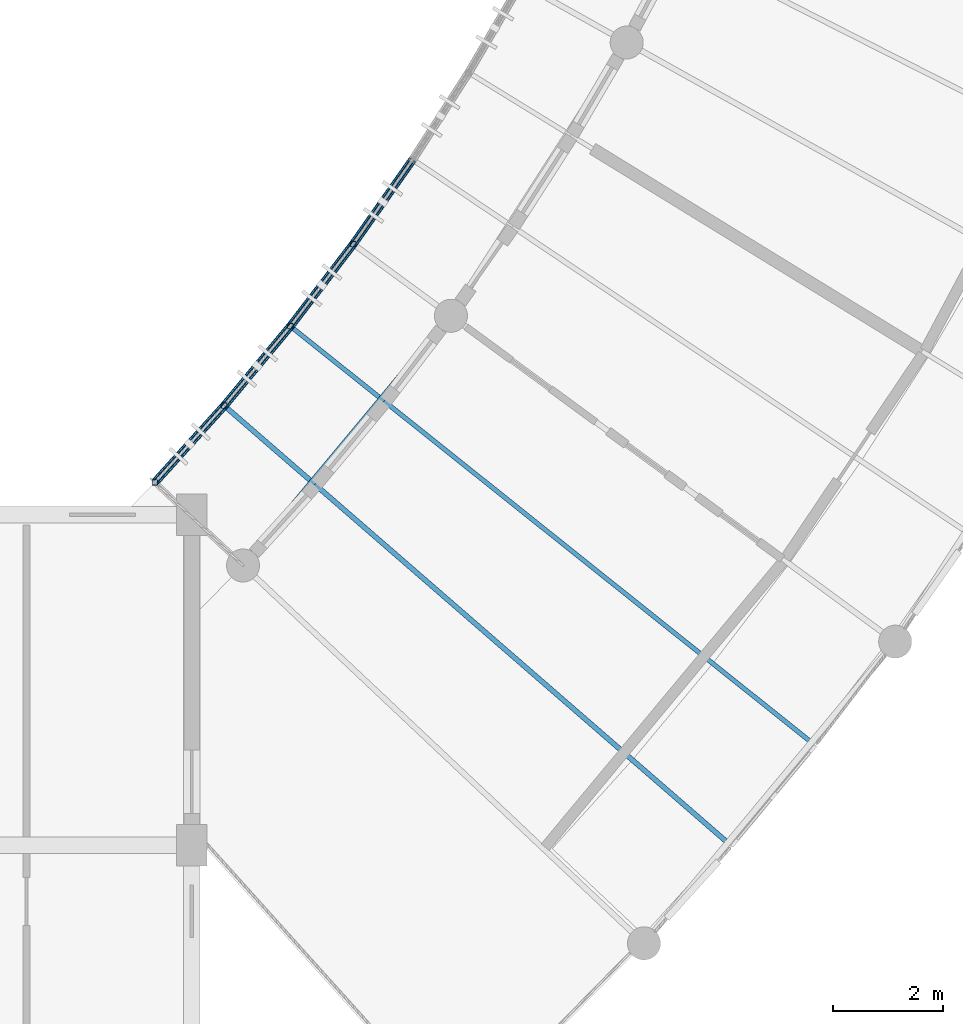
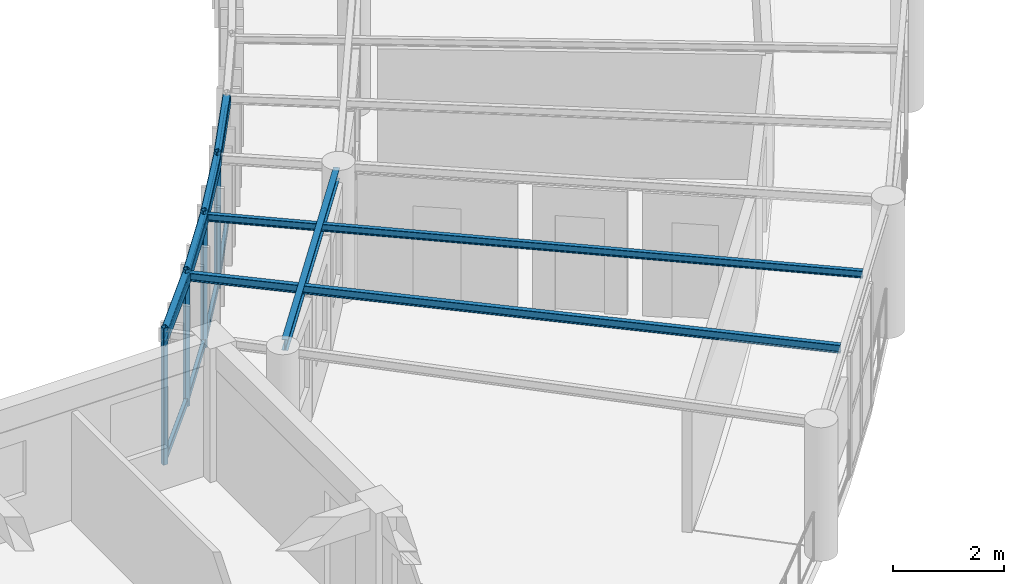
# One storey, part 12 of 100: 12 members, 7 beams.
"""IFC4 building model written with IfcOpenShell, lengths in metres."""

import ifcopenshell
import ifcopenshell.guid

model = None  # the IFC model being written
_history = None  # IfcOwnerHistory: only IFC2X3 demands one
_inside = {}  # id of a spatial element -> (the spatial element, [elements in it])
_under = {}  # id of a project, library or spatial element -> (it, [spatial elements below it])
_declared = {}  # id of a project -> (the project, [libraries it declares])
_typed = {}  # id of a type object -> (the type object, [elements of that type])
_made_of = {}  # id of a material, layer set ... -> (it, [elements and type objects made of it])


def new_model(schema):
    """Start an empty IFC model of exactly this schema.

    Asked for "IFC4X3", IfcOpenShell would pick the latest addendum, in which some entities
    have other attributes; the version numbers below select the first issue.
    IFC2X3 requires an IfcOwnerHistory on every rooted entity: one is made here for all.
    """
    global model, _history
    if schema == "IFC4X3":
        model = ifcopenshell.file(schema_version=(4, 3, 0, 0))
    else:
        model = ifcopenshell.file(schema=schema)
    _inside.clear()
    _under.clear()
    _declared.clear()
    _typed.clear()
    _made_of.clear()
    _history = None
    if model.schema == "IFC2X3":
        org = make("IfcOrganization", Name="unknown")
        user = make(
            "IfcPersonAndOrganization",
            ThePerson=make("IfcPerson", FamilyName="unknown"),
            TheOrganization=org,
        )
        app = make(
            "IfcApplication",
            ApplicationDeveloper=org,
            Version="unknown",
            ApplicationFullName="unknown",
            ApplicationIdentifier="unknown",
        )
        _history = make(
            "IfcOwnerHistory",
            OwningUser=user,
            OwningApplication=app,
            ChangeAction="ADDED",
            CreationDate=0,
        )
    return model


def make(cls, **values):
    """One entity of the class cls with the attributes given. An attribute that is None is left unset."""
    return model.create_entity(
        cls, **{name: value for name, value in values.items() if value is not None}
    )


def rooted(cls, **values):
    """An entity with a GlobalId (a new one), such as an element, a storey or a relation."""
    return make(cls, GlobalId=ifcopenshell.guid.new(), OwnerHistory=_history, **values)


def si_unit(unit_type, name, prefix=None):
    """IfcSIUnit, for example si_unit("LENGTHUNIT", "METRE", prefix="MILLI")."""
    return make("IfcSIUnit", UnitType=unit_type, Prefix=prefix, Name=name)


def assignment(units):
    """IfcUnitAssignment: the units of a project."""
    return None if units is None else make("IfcUnitAssignment", Units=units)


def point(xyz):
    """IfcCartesianPoint."""
    return None if xyz is None else make("IfcCartesianPoint", Coordinates=xyz)


def direction(xyz):
    """IfcDirection."""
    return None if xyz is None else make("IfcDirection", DirectionRatios=xyz)


def frame(location, z_axis=None, x_axis=None):
    """IfcAxis2Placement3D, a coordinate frame: its origin and axes. An axis left out is left unset."""
    return make(
        "IfcAxis2Placement3D",
        Location=point(location),
        Axis=direction(z_axis),
        RefDirection=direction(x_axis),
    )


def frame_2d(location, x_axis=None):
    """IfcAxis2Placement2D, a coordinate frame in the plane: its origin and x axis."""
    return make(
        "IfcAxis2Placement2D", Location=point(location), RefDirection=direction(x_axis)
    )


def origin():
    """The frame at (0, 0, 0) with its axes left unset."""
    return frame((0.0, 0.0, 0.0))


def origin_2d():
    """The frame at (0, 0) in the plane with its x axis left unset."""
    return frame_2d((0.0, 0.0))


def place(relative_to, where):
    """IfcLocalPlacement: puts the frame where relative to a parent placement (None: the world)."""
    return make(
        "IfcLocalPlacement", PlacementRelTo=relative_to, RelativePlacement=where
    )


def context(
    kind, dimensions, precision=None, world=None, true_north=None, identifier=None
):
    """IfcGeometricRepresentationContext, for example the 3D "Model" context."""
    return make(
        "IfcGeometricRepresentationContext",
        ContextIdentifier=identifier,
        ContextType=kind,
        CoordinateSpaceDimension=dimensions,
        Precision=precision,
        WorldCoordinateSystem=world,
        TrueNorth=true_north,
    )


def subcontext(parent, identifier, kind, view, scale=None):
    """IfcGeometricRepresentationSubContext, for example "Body" below "Model"."""
    return make(
        "IfcGeometricRepresentationSubContext",
        ContextIdentifier=identifier,
        ContextType=kind,
        ParentContext=parent,
        TargetScale=scale,
        TargetView=view,
    )


def project(units=None, contexts=None):
    """IfcProject with its units and contexts."""
    return rooted(
        "IfcProject",
        Name="project",
        RepresentationContexts=contexts,
        UnitsInContext=assignment(units),
    )


def spatial(cls, under=None, at=None, **own):
    """A site, building, storey or space (cls), placed at a placement, below another one or the project."""
    s = rooted(cls, ObjectPlacement=at, **own)
    if under is not None:
        _under.setdefault(under.id(), (under, []))[1].append(s)
    return s


def profile(cls, at=None, kind="AREA", **sizes):
    """A parametric profile (cls). Its sizes go by their IFC names, for example OverallWidth=200.0."""
    return make(cls, ProfileType=kind, Position=at, **sizes)


def hollow_rectangle(**sizes):
    """IfcRectangleHollowProfileDef."""
    return profile("IfcRectangleHollowProfileDef", **sizes)


def i_section(**sizes):
    """IfcIShapeProfileDef."""
    return profile("IfcIShapeProfileDef", **sizes)


def extrude(swept, where, along, depth):
    """IfcExtrudedAreaSolid: the profile swept, set in the frame where, extruded along a direction by depth."""
    return make(
        "IfcExtrudedAreaSolid",
        SweptArea=swept,
        Position=where,
        ExtrudedDirection=direction(along),
        Depth=depth,
    )


def shape(context_of_items, identifier, shape_type, items):
    """IfcShapeRepresentation: the items that make up one representation, for example the "Body"."""
    return make(
        "IfcShapeRepresentation",
        ContextOfItems=context_of_items,
        RepresentationIdentifier=identifier,
        RepresentationType=shape_type,
        Items=items,
    )


def material(Name=None, Category=None):
    """IfcMaterial."""
    return make("IfcMaterial", Name=Name, Category=Category)


def material_profile(
    of_material, cross_section, Name=None, Category=None, Priority=None
):
    """IfcMaterialProfile: a cross section and its material."""
    return make(
        "IfcMaterialProfile",
        Name=Name,
        Material=of_material,
        Profile=cross_section,
        Priority=Priority,
        Category=Category,
    )


def profile_set(profiles, Name=None, composite=None):
    """IfcMaterialProfileSet."""
    return make(
        "IfcMaterialProfileSet",
        Name=Name,
        MaterialProfiles=profiles,
        CompositeProfile=composite,
    )


def made_of(thing, what):
    """Note that an element or type object is made of a material, layer set ...; save() writes the relation."""
    if what is not None:
        _made_of.setdefault(what.id(), (what, []))[1].append(thing)
    return thing


def type_object(cls, material=None, **own):
    """A type object (cls), such as IfcWallType, which elements share."""
    return made_of(rooted(cls, **own), material)


def element(
    cls,
    number,
    at=None,
    inside=None,
    cuts=None,
    type_object=None,
    material=None,
    context=None,
    identifier="Body",
    shape_type=None,
    held_by="IfcProductDefinitionShape",
    body=None,
    shapes=None,
    **own,
):
    """One element of the class cls, such as IfcWall. Its Tag is "e" and its number.

    at: its placement. inside: the storey or other place that contains it. cuts: it is an
    opening in that element (IfcRelVoidsElement). A single representation is given by context,
    identifier, shape_type and body (its items); several are given by shapes. held_by: the class
    of the entity that holds the representations. save() writes the other relations.
    """
    e = rooted(cls, Tag="e%d" % number, ObjectPlacement=at, **own)
    if body is not None:
        shapes = [shape(context, identifier, shape_type, body)]
    if shapes is not None:
        e.Representation = make(held_by, Representations=shapes)
    if inside is not None:
        _inside.setdefault(inside.id(), (inside, []))[1].append(e)
    if cuts is not None:
        rooted(
            "IfcRelVoidsElement", RelatingBuildingElement=cuts, RelatedOpeningElement=e
        )
    if type_object is not None:
        _typed.setdefault(type_object.id(), (type_object, []))[1].append(e)
    return made_of(e, material)


def aggregate(whole, parts):
    """IfcRelAggregates: a whole, such as a stair, and the parts it consists of."""
    return rooted("IfcRelAggregates", RelatingObject=whole, RelatedObjects=parts)


def save(model, path):
    """Write the relations noted so far, then the file.

    IfcRelAggregates (storeys below a building ...), IfcRelContainedInSpatialStructure (elements
    in a storey), IfcRelDefinesByType, IfcRelAssociatesMaterial and IfcRelDeclares: one each for
    every whole, place, type object, material and project.
    """
    for whole, parts in _under.values():
        aggregate(whole, parts)
    for where, things in _inside.values():
        rooted(
            "IfcRelContainedInSpatialStructure",
            RelatedElements=things,
            RelatingStructure=where,
        )
    for kind, things in _typed.values():
        rooted("IfcRelDefinesByType", RelatedObjects=things, RelatingType=kind)
    for what, things in _made_of.values():
        rooted("IfcRelAssociatesMaterial", RelatedObjects=things, RelatingMaterial=what)
    for by, libraries in _declared.values():
        rooted("IfcRelDeclares", RelatingContext=by, RelatedDefinitions=libraries)
    model.write(path)


model = new_model("IFC4")

# Units and contexts
model_context = context("Model", 3, precision=1e-05, world=origin(), true_north=direction((0.0, 1.0)))
body_context = subcontext(model_context, "Body", "Model", "MODEL_VIEW")
ifc_project = project(units=[si_unit("LENGTHUNIT", "METRE"), si_unit("AREAUNIT", "SQUARE_METRE"), si_unit("VOLUMEUNIT", "CUBIC_METRE"), si_unit("PLANEANGLEUNIT", "RADIAN"), si_unit("MASSUNIT", "GRAM", prefix="KILO"), si_unit("POWERUNIT", "WATT"), si_unit("THERMODYNAMICTEMPERATUREUNIT", "KELVIN")], contexts=[model_context])

# Site, building, storey
site_placement = place(None, origin())
site = spatial("IfcSite", under=ifc_project, at=site_placement, CompositionType="ELEMENT")
building_placement = place(site_placement, origin())
building = spatial("IfcBuilding", under=site, at=building_placement, Name="Ruvembo Vaulted Housing Court", CompositionType="ELEMENT")
storey_placement = place(building_placement, frame((0.0, 0.0, 14.10009765625)))
storey = spatial("IfcBuildingStorey", under=building, at=storey_placement, Name="L04", CompositionType="ELEMENT", Elevation=14.10009765625)

# Beams
ifc_material = material(Name="Steel S355J2", Category="steel")
ifc_material_profile_1 = material_profile(ifc_material, i_section(OverallWidth=0.08203125, OverallDepth=0.159912109375, WebThickness=0.0048828125, FlangeThickness=0.00732421875, FilletRadius=0.009033203125, at=origin_2d()), Name="IPE 160")
ifc_profile_set_1 = profile_set([ifc_material_profile_1], Name="Steel S355J2")
beam_type_1 = type_object("IfcBeamType", Name="BM-ST-IPE160", PredefinedType="JOIST", material=ifc_profile_set_1)
beam_1_placement = place(storey_placement, frame((47.20751953125, 37.900146484375, 2.85986328125), z_axis=(-0.781429857341, 0.623993091353, 0.0), x_axis=(-0.623993091353, -0.781429857341, 0.0)))
element("IfcBeam", 1, at=beam_1_placement, inside=storey, type_object=beam_type_1, Name="Scoop SC1 L04 Radial Steel Joist 2", PredefinedType="JOIST", context=body_context, shape_type="SweptSolid", body=[
    extrude(i_section(OverallWidth=0.08203125, OverallDepth=0.159912109375, WebThickness=0.0048828125, FlangeThickness=0.00732421875, FilletRadius=0.009033203125, at=origin_2d()), origin(), (0.0, 0.0, 1.0), 12.092529296875),
])
ifc_material_profile_2 = material_profile(ifc_material, i_section(OverallWidth=0.091064453125, OverallDepth=0.179931640625, WebThickness=0.00537109375, FlangeThickness=0.008056640625, FilletRadius=0.009033203125, at=origin_2d()), Name="IPE 180")
ifc_profile_set_2 = profile_set([ifc_material_profile_2], Name="Steel S355J2")
beam_type_2 = type_object("IfcBeamType", Name="BM-ST-IPE180", PredefinedType="JOIST", material=ifc_profile_set_2)
beam_2_placement = place(storey_placement, frame((45.690673828125, 36.078369140625, 2.849853515625), z_axis=(-0.75520458687, 0.655489154732, 0.0), x_axis=(-0.655489154732, -0.75520458687, 0.0)))
element("IfcBeam", 2, at=beam_2_placement, inside=storey, type_object=beam_type_2, Name="Scoop SC1 L04 Radial Steel Joist 1", PredefinedType="JOIST", context=body_context, shape_type="SweptSolid", body=[
    extrude(i_section(OverallWidth=0.091064453125, OverallDepth=0.179931640625, WebThickness=0.00537109375, FlangeThickness=0.008056640625, FilletRadius=0.009033203125, at=origin_2d()), origin(), (0.0, 0.0, 1.0), 12.092529296875),
])
ifc_material_profile_3 = material_profile(ifc_material, i_section(OverallWidth=0.1201171875, OverallDepth=0.239990234375, WebThickness=0.006103515625, FlangeThickness=0.009765625, FilletRadius=0.014892578125, at=origin_2d()), Name="IPE 240")
ifc_profile_set_3 = profile_set([ifc_material_profile_3], Name="Steel S355J2")
beam_type_3 = type_object("IfcBeamType", Name="BM-ST-IPE240", PredefinedType="BEAM", material=ifc_profile_set_3)
beam_3_placement = place(storey_placement, frame((37.05224609375, 41.22412109375, 2.822021484375), z_axis=(0.639879665438, 0.768475122407, 0.0), x_axis=(-0.768475122407, 0.639879665438, 0.0)))
element("IfcBeam", 3, at=beam_3_placement, inside=storey, type_object=beam_type_3, Name="Scoop SC1 L04 Chord Girder F0", PredefinedType="BEAM", context=body_context, shape_type="SweptSolid", body=[
    extrude(i_section(OverallWidth=0.1201171875, OverallDepth=0.239990234375, WebThickness=0.006103515625, FlangeThickness=0.009765625, FilletRadius=0.014892578125, at=origin_2d()), origin(), (0.0, 0.0, 1.0), 5.51708984375),
])
ifc_material_profile_4 = material_profile(ifc_material, hollow_rectangle(XDim=0.14990234375, YDim=0.25, WallThickness=0.010009765625, InnerFilletRadius=0.010009765625, OuterFilletRadius=0.02001953125, at=origin_2d()), Name="RHS 250x150x10")
ifc_profile_set_4 = profile_set([ifc_material_profile_4], Name="Steel S355J2")
beam_type_4 = type_object("IfcBeamType", Name="BM-ST-RHS250", PredefinedType="SPANDREL", material=ifc_profile_set_4)
for number, where, z_axis, x_axis, name in (
    (4, (35.32958984375, 42.5869140625, 2.81494140625), (0.670766832997, 0.741668292265, 0.0), (-0.741668292265, 0.670766832997, 0.0), "Scoop SC1 L04 Balcony Edge Spandrel 0"),
    (5, (36.58837890625, 43.978759765625, 2.81494140625), (0.639915648776, 0.76844515904, 0.0), (-0.76844515904, 0.639915648776, 0.0), "Scoop SC1 L04 Balcony Edge Spandrel 1"),
):
    element("IfcBeam", number, at=place(storey_placement, frame(where, z_axis=z_axis, x_axis=x_axis)), inside=storey, type_object=beam_type_4, Name=name, PredefinedType="SPANDREL", context=body_context, shape_type="SweptSolid", body=[
        extrude(hollow_rectangle(XDim=0.14990234375, YDim=0.25, WallThickness=0.010009765625, InnerFilletRadius=0.010009765625, OuterFilletRadius=0.02001953125, at=origin_2d()), origin(), (0.0, 0.0, 1.0), 1.876708984375),
    ])
beam_4_placement = place(storey_placement, frame((37.789306640625, 45.4208984375, 2.81494140625), z_axis=(0.607860517304, 0.794043822155, 0.0), x_axis=(-0.794043822155, 0.607860517304, 0.0)))
element("IfcBeam", 6, at=beam_4_placement, inside=storey, type_object=beam_type_4, Name="Scoop SC1 L04 Balcony Edge Spandrel 2", PredefinedType="SPANDREL", context=body_context, shape_type="SweptSolid", body=[
    extrude(hollow_rectangle(XDim=0.14990234375, YDim=0.25, WallThickness=0.010009765625, InnerFilletRadius=0.010009765625, OuterFilletRadius=0.02001953125, at=origin_2d()), origin(), (0.0, 0.0, 1.0), 1.87646484375),
])
beam_5_placement = place(storey_placement, frame((38.929931640625, 46.910888671875, 2.81494140625), z_axis=(0.574858427718, 0.81825288761, 0.0), x_axis=(-0.81825288761, 0.574858427718, 0.0)))
element("IfcBeam", 7, at=beam_5_placement, inside=storey, type_object=beam_type_4, Name="Scoop SC1 L04 Balcony Edge Spandrel 3", PredefinedType="SPANDREL", context=body_context, shape_type="SweptSolid", body=[
    extrude(hollow_rectangle(XDim=0.14990234375, YDim=0.25, WallThickness=0.010009765625, InnerFilletRadius=0.010009765625, OuterFilletRadius=0.02001953125, at=origin_2d()), origin(), (0.0, 0.0, 1.0), 1.876708984375),
])

# Members
ifc_material_profile_5 = material_profile(ifc_material, hollow_rectangle(XDim=0.06005859375, YDim=0.1201171875, WallThickness=0.0048828125, InnerFilletRadius=0.0048828125, OuterFilletRadius=0.010009765625, at=origin_2d()), Name="RHS 120x60x5")
ifc_profile_set_5 = profile_set([ifc_material_profile_5], Name="Steel S355J2")
member_type_1 = type_object("IfcMemberType", Name="MEM-CAR-RHS120", PredefinedType="CHORD", material=ifc_profile_set_5)
for number, where, z_axis, x_axis, name in (
    (8, (35.32958984375, 42.5869140625, 2.6328125), (0.670766832997, 0.741668292265, 0.0), (-0.741668292265, 0.670766832997, 0.0), "Scoop SC1 L04 Upper Louvre Carrier Rail 0"),
    (9, (36.58837890625, 43.978759765625, 2.6328125), (0.639915648776, 0.76844515904, 0.0), (-0.76844515904, 0.639915648776, 0.0), "Scoop SC1 L04 Upper Louvre Carrier Rail 1"),
):
    element("IfcMember", number, at=place(storey_placement, frame(where, z_axis=z_axis, x_axis=x_axis)), inside=storey, type_object=member_type_1, Name=name, PredefinedType="CHORD", context=body_context, shape_type="SweptSolid", body=[
        extrude(hollow_rectangle(XDim=0.06005859375, YDim=0.1201171875, WallThickness=0.0048828125, InnerFilletRadius=0.0048828125, OuterFilletRadius=0.010009765625, at=origin_2d()), origin(), (0.0, 0.0, 1.0), 1.876708984375),
    ])
member_1_placement = place(storey_placement, frame((37.789306640625, 45.4208984375, 2.6328125), z_axis=(0.607860517304, 0.794043822155, 0.0), x_axis=(-0.794043822155, 0.607860517304, 0.0)))
element("IfcMember", 10, at=member_1_placement, inside=storey, type_object=member_type_1, Name="Scoop SC1 L04 Upper Louvre Carrier Rail 2", PredefinedType="CHORD", context=body_context, shape_type="SweptSolid", body=[
    extrude(hollow_rectangle(XDim=0.06005859375, YDim=0.1201171875, WallThickness=0.0048828125, InnerFilletRadius=0.0048828125, OuterFilletRadius=0.010009765625, at=origin_2d()), origin(), (0.0, 0.0, 1.0), 1.87646484375),
])
member_2_placement = place(storey_placement, frame((38.929931640625, 46.910888671875, 2.6328125), z_axis=(0.574858427718, 0.81825288761, 0.0), x_axis=(-0.81825288761, 0.574858427718, 0.0)))
element("IfcMember", 11, at=member_2_placement, inside=storey, type_object=member_type_1, Name="Scoop SC1 L04 Upper Louvre Carrier Rail 3", PredefinedType="CHORD", context=body_context, shape_type="SweptSolid", body=[
    extrude(hollow_rectangle(XDim=0.06005859375, YDim=0.1201171875, WallThickness=0.0048828125, InnerFilletRadius=0.0048828125, OuterFilletRadius=0.010009765625, at=origin_2d()), origin(), (0.0, 0.0, 1.0), 1.876708984375),
])
ifc_material_profile_6 = material_profile(ifc_material, hollow_rectangle(XDim=0.080078125, YDim=0.14990234375, WallThickness=0.00634765625, InnerFilletRadius=0.00634765625, OuterFilletRadius=0.0126953125, at=origin_2d()), Name="RHS 150x80x6.3")
ifc_profile_set_6 = profile_set([ifc_material_profile_6], Name="Steel S355J2")
member_type_2 = type_object("IfcMemberType", Name="MEM-CAR-RHS150", PredefinedType="CHORD", material=ifc_profile_set_6)
for number, where, z_axis, x_axis, name in (
    (12, (35.32958984375, 42.5869140625, 0.094970703125), (0.670766832997, 0.741668292265, 0.0), (-0.741668292265, 0.670766832997, 0.0), "Scoop SC1 L04 Lower Louvre Carrier Rail 0"),
    (13, (36.58837890625, 43.978759765625, 0.094970703125), (0.639915648776, 0.76844515904, 0.0), (-0.76844515904, 0.639915648776, 0.0), "Scoop SC1 L04 Lower Louvre Carrier Rail 1"),
):
    element("IfcMember", number, at=place(storey_placement, frame(where, z_axis=z_axis, x_axis=x_axis)), inside=storey, type_object=member_type_2, Name=name, PredefinedType="CHORD", context=body_context, shape_type="SweptSolid", body=[
        extrude(hollow_rectangle(XDim=0.080078125, YDim=0.14990234375, WallThickness=0.00634765625, InnerFilletRadius=0.00634765625, OuterFilletRadius=0.0126953125, at=origin_2d()), origin(), (0.0, 0.0, 1.0), 1.876708984375),
    ])
member_3_placement = place(storey_placement, frame((37.789306640625, 45.4208984375, 0.094970703125), z_axis=(0.607860517304, 0.794043822155, 0.0), x_axis=(-0.794043822155, 0.607860517304, 0.0)))
element("IfcMember", 14, at=member_3_placement, inside=storey, type_object=member_type_2, Name="Scoop SC1 L04 Lower Louvre Carrier Rail 2", PredefinedType="CHORD", context=body_context, shape_type="SweptSolid", body=[
    extrude(hollow_rectangle(XDim=0.080078125, YDim=0.14990234375, WallThickness=0.00634765625, InnerFilletRadius=0.00634765625, OuterFilletRadius=0.0126953125, at=origin_2d()), origin(), (0.0, 0.0, 1.0), 1.87646484375),
])
member_4_placement = place(storey_placement, frame((38.929931640625, 46.910888671875, 0.094970703125), z_axis=(0.574858427718, 0.81825288761, 0.0), x_axis=(-0.81825288761, 0.574858427718, 0.0)))
element("IfcMember", 15, at=member_4_placement, inside=storey, type_object=member_type_2, Name="Scoop SC1 L04 Lower Louvre Carrier Rail 3", PredefinedType="CHORD", context=body_context, shape_type="SweptSolid", body=[
    extrude(hollow_rectangle(XDim=0.080078125, YDim=0.14990234375, WallThickness=0.00634765625, InnerFilletRadius=0.00634765625, OuterFilletRadius=0.0126953125, at=origin_2d()), origin(), (0.0, 0.0, 1.0), 1.876708984375),
])
ifc_material_profile_7 = material_profile(ifc_material, hollow_rectangle(XDim=0.10009765625, YDim=0.10009765625, WallThickness=0.00634765625, InnerFilletRadius=0.00634765625, OuterFilletRadius=0.0126953125, at=origin_2d()), Name="SHS 100x100x6.3")
ifc_profile_set_7 = profile_set([ifc_material_profile_7], Name="Steel S355J2")
member_type_3 = type_object("IfcMemberType", Name="MEM-FRM-SHS100", PredefinedType="STRUT", material=ifc_profile_set_7)
for number, where, z_axis, x_axis, name in (
    (16, (35.32958984375, 42.5869140625, -0.01513671875), (0.0, 0.0, 1.0), (1.0, 0.0, 0.0), "Scoop SC1 L04 Louvre Frame Post 0"),
    (17, (36.58837890625, 43.978759765625, -0.01513671875), (0.0, 0.0, 1.0), (1.0, 0.0, 0.0), "Scoop SC1 L04 Louvre Frame Post 1"),
    (18, (37.789306640625, 45.4208984375, -0.01513671875), (0.0, 0.0, 1.0), (1.0, 0.0, 0.0), "Scoop SC1 L04 Louvre Frame Post 2"),
    (19, (38.929931640625, 46.910888671875, -0.01513671875), (0.0, 0.0, 1.0), (1.0, 0.0, 0.0), "Scoop SC1 L04 Louvre Frame Post 3"),
):
    element("IfcMember", number, at=place(storey_placement, frame(where, z_axis=z_axis, x_axis=x_axis)), inside=storey, type_object=member_type_3, Name=name, PredefinedType="STRUT", context=body_context, shape_type="SweptSolid", body=[
        extrude(hollow_rectangle(XDim=0.10009765625, YDim=0.10009765625, WallThickness=0.00634765625, InnerFilletRadius=0.00634765625, OuterFilletRadius=0.0126953125, at=origin_2d()), origin(), (0.0, 0.0, 1.0), 3.02294921875),
    ])

save(model, "model.ifc")
